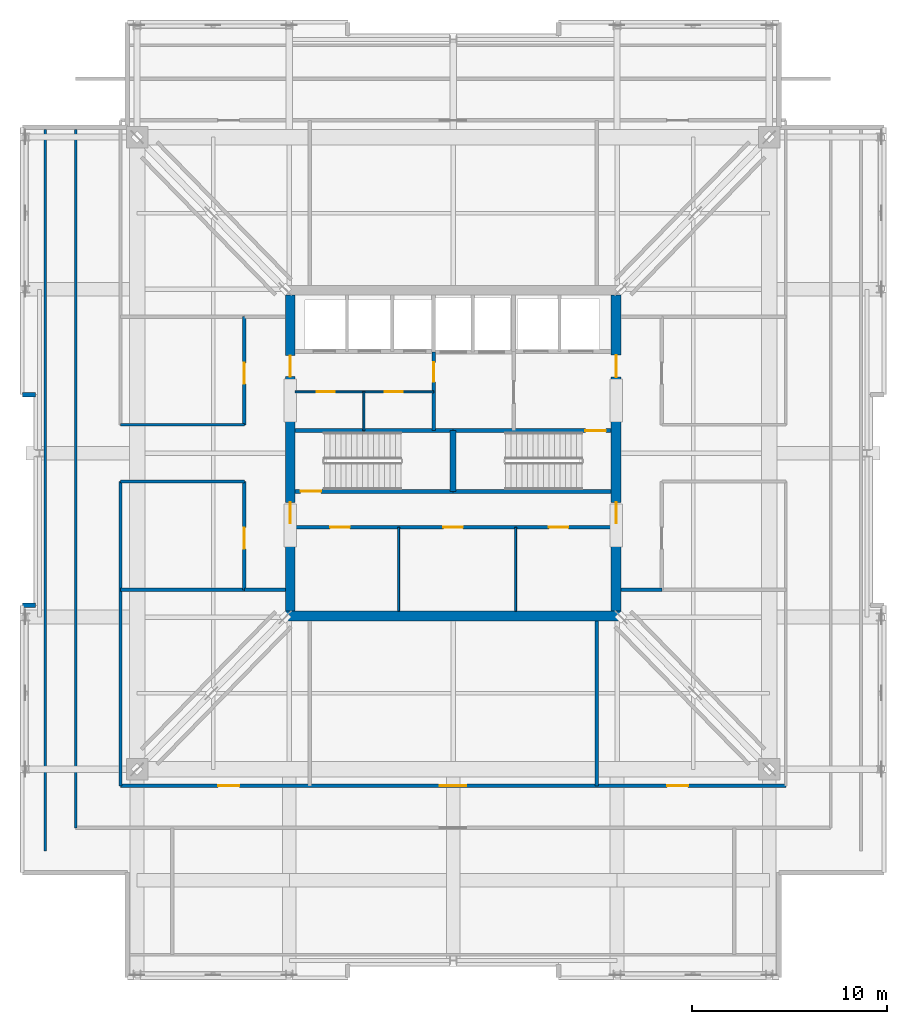
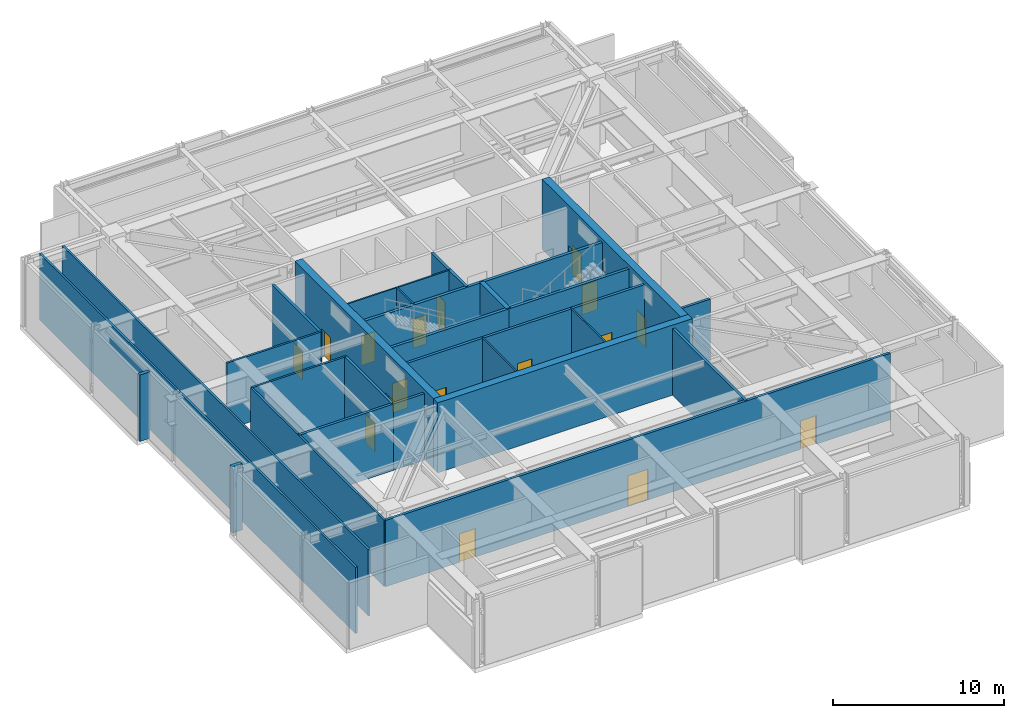
# One storey, part 5 of 10: 28 walls, 17 doors, 17 openings.
"""IFC4 building model written with IfcOpenShell, lengths in metres."""

from ifc_helpers import new_model, si_unit, direction, frame, frame_2d, origin, place, context, subcontext, project, spatial, rectangle, extrude, material, layer, layer_set, type_object, element, fill, save


model = new_model("IFC4")

# Units and contexts
model_context = context("Model", 3, precision=1e-05, world=origin(), true_north=direction((0.0, 1.0)))
body_context = subcontext(model_context, "Body", "Model", "MODEL_VIEW")
ifc_project = project(units=[si_unit("LENGTHUNIT", "METRE"), si_unit("AREAUNIT", "SQUARE_METRE"), si_unit("VOLUMEUNIT", "CUBIC_METRE"), si_unit("PLANEANGLEUNIT", "RADIAN"), si_unit("MASSUNIT", "GRAM", prefix="KILO")], contexts=[model_context])

# Site, building, storey
site_placement = place(None, origin())
site = spatial("IfcSite", under=ifc_project, at=site_placement, CompositionType="ELEMENT")
building_placement = place(site_placement, origin())
building = spatial("IfcBuilding", under=site, at=building_placement, Name="Drelvath Grand Hotel", CompositionType="ELEMENT")
storey_placement = place(building_placement, frame((0.0, 0.0, 260.0)))
storey = spatial("IfcBuildingStorey", under=building, at=storey_placement, Name="L68", CompositionType="ELEMENT", Elevation=260.0)

# Wall, openings, doors
ifc_material_1 = material(Name="Gypsum Partition Board")
ifc_layer_1 = layer(ifc_material_1, 0.10009765625)
ifc_layer_set_1 = layer_set([ifc_layer_1], Name="Gypsum Partition Board")
wall_type_1 = type_object("IfcWallType", Name="Core Closet Partition 100", PredefinedType="PARTITIONING", material=ifc_layer_set_1)
wall_1_placement = place(storey_placement, frame((-8.10009765625, 30.139892578125, 0.0), z_axis=(0.0, 0.0, 1.0), x_axis=(1.0, 0.0, 0.0)))
wall_1 = element("IfcWall", 1, at=wall_1_placement, inside=storey, type_object=wall_type_1, Name="L68 High-Rise Lobby Closet Wall", PredefinedType="PARTITIONING", context=body_context, shape_type="SweptSolid", body=[
    extrude(rectangle(XDim=7.10009765625, YDim=0.10009765625, at=frame_2d((3.550048828125, 0.0))), origin(), (0.0, 0.0, 1.0), 4.739990234375),
])
opening_1_placement = place(wall_1_placement, frame((1.10009765625, 0.0, 0.0)))
opening_1 = element("IfcOpeningElement", 2, at=opening_1_placement, cuts=wall_1, Name="Opening D-L68-014", PredefinedType="OPENING", context=body_context, shape_type="SweptSolid", body=[
    extrude(rectangle(XDim=0.919921875, YDim=2.10009765625, at=frame_2d((0.4599609375, 1.050048828125))), frame((0.0, 0.06005859375, 0.0), z_axis=(0.0, -1.0, 0.0), x_axis=(1.0, 0.0, 0.0)), (0.0, 0.0, 1.0), 0.1201171875),
])
opening_2_placement = place(wall_1_placement, frame((4.60009765625, 0.0, 0.0)))
opening_2 = element("IfcOpeningElement", 3, at=opening_2_placement, cuts=wall_1, Name="Opening D-L68-015", PredefinedType="OPENING", context=body_context, shape_type="SweptSolid", body=[
    extrude(rectangle(XDim=0.919921875, YDim=2.10009765625, at=frame_2d((0.4599609375, 1.050048828125))), frame((0.0, 0.06005859375, 0.0), z_axis=(0.0, -1.0, 0.0), x_axis=(1.0, 0.0, 0.0)), (0.0, 0.0, 1.0), 0.1201171875),
])
ifc_material_2 = material(Name="Painted Steel S275", Category="steel")
door_type_1 = type_object("IfcDoorType", Name="Staff Utility Door 920x2100", OperationType="NOTDEFINED", PredefinedType="DOOR", material=ifc_material_2)
door_1_placement = place(opening_1_placement, origin())
door_1 = element("IfcDoor", 4, at=door_1_placement, inside=storey, type_object=door_type_1, Name="L68 Electrical Closet Door", OperationType="SINGLE_SWING_LEFT", OverallHeight=2.10009765625, OverallWidth=0.919921875, PredefinedType="DOOR", context=body_context, shape_type="SweptSolid", body=[
    extrude(rectangle(XDim=0.919921875, YDim=2.10009765625, at=frame_2d((0.4599609375, 1.050048828125))), frame((0.0, 0.02490234375, 0.0), z_axis=(0.0, -1.0, 0.0), x_axis=(1.0, 0.0, 0.0)), (0.0, 0.0, 1.0), 0.050048828125),
])
fill(opening_1, door_1)
door_2_placement = place(opening_2_placement, origin())
door_2 = element("IfcDoor", 5, at=door_2_placement, inside=storey, type_object=door_type_1, Name="L68 Telecom Room Door", OperationType="SINGLE_SWING_RIGHT", OverallHeight=2.10009765625, OverallWidth=0.919921875, PredefinedType="DOOR", context=body_context, shape_type="SweptSolid", body=[
    extrude(rectangle(XDim=0.919921875, YDim=2.10009765625, at=frame_2d((0.4599609375, 1.050048828125))), frame((0.0, 0.02490234375, 0.0), z_axis=(0.0, -1.0, 0.0), x_axis=(1.0, 0.0, 0.0)), (0.0, 0.0, 1.0), 0.050048828125),
])
fill(opening_2, door_2)

# Walls
wall_2_placement = place(storey_placement, frame((-4.580078125, 28.159912109375, 0.0), z_axis=(0.0, 0.0, 1.0), x_axis=(0.0, 1.0, 0.0)))
element("IfcWall", 6, at=wall_2_placement, inside=storey, type_object=wall_type_1, Name="L68 Core Closet Split 1", PredefinedType="PARTITIONING", context=body_context, shape_type="SweptSolid", body=[
    extrude(rectangle(XDim=1.97998046875, YDim=0.10009765625, at=frame_2d((0.989990234375, 0.0))), origin(), (0.0, 0.0, 1.0), 4.739990234375),
])
for number, where, z_axis, x_axis, name in (
    (7, (-2.800048828125, 18.89990234375, 0.0), (0.0, 0.0, 1.0), (0.0, 1.0, 0.0), "L68 Upper Core Split 1A"),
    (8, (3.199951171875, 18.89990234375, 0.0), (0.0, 0.0, 1.0), (0.0, 1.0, 0.0), "L68 Upper Core Split 1B"),
):
    element("IfcWall", number, at=place(storey_placement, frame(where, z_axis=z_axis, x_axis=x_axis)), inside=storey, type_object=wall_type_1, Name=name, PredefinedType="PARTITIONING", context=body_context, shape_type="SweptSolid", body=[
        extrude(rectangle(XDim=4.300048828125, YDim=0.10009765625, at=frame_2d((2.14990234375, 0.0))), origin(), (0.0, 0.0, 1.0), 4.739990234375),
    ])

# Wall, opening, door
ifc_material_3 = material(Name="Concrete C40/50", Category="concrete")
ifc_layer_2 = layer(ifc_material_3, 0.199951171875)
ifc_layer_set_2 = layer_set([ifc_layer_2], Name="Concrete C40/50")
wall_type_2 = type_object("IfcWallType", Name="Core Shaft Fire Wall 200", PredefinedType="SOLIDWALL", material=ifc_layer_set_2)
wall_3_placement = place(storey_placement, frame((-8.10009765625, 25.0400390625, 0.0), z_axis=(0.0, 0.0, 1.0), x_axis=(1.0, 0.0, 0.0)))
wall_3 = element("IfcWall", 9, at=wall_3_placement, inside=storey, type_object=wall_type_2, Name="L68 Stair ST-1 South Wall", PredefinedType="SOLIDWALL", context=body_context, shape_type="SweptSolid", body=[
    extrude(rectangle(XDim=8.10009765625, YDim=0.199951171875, at=frame_2d((4.050048828125, 0.0))), origin(), (0.0, 0.0, 1.0), 4.739990234375),
])
opening_3_placement = place(wall_3_placement, frame((0.280029296875, 0.0, 0.0)))
opening_3 = element("IfcOpeningElement", 10, at=opening_3_placement, cuts=wall_3, Name="Opening D-L68-001", PredefinedType="OPENING", context=body_context, shape_type="SweptSolid", body=[
    extrude(rectangle(XDim=1.050048828125, YDim=2.10009765625, at=frame_2d((0.52490234375, 1.050048828125))), frame((0.0, 0.10986328125, 0.0), z_axis=(0.0, -1.0, 0.0), x_axis=(1.0, 0.0, 0.0)), (0.0, 0.0, 1.0), 0.219970703125),
])
door_type_2 = type_object("IfcDoorType", Name="Tower Stairwell Fire Door 1050x2100", OperationType="NOTDEFINED", PredefinedType="DOOR", material=ifc_material_2)
door_3_placement = place(opening_3_placement, origin())
door_3 = element("IfcDoor", 11, at=door_3_placement, inside=storey, type_object=door_type_2, Name="L68 Exit Stair ST-1 Door", OperationType="SINGLE_SWING_LEFT", OverallHeight=2.10009765625, OverallWidth=1.050048828125, PredefinedType="DOOR", context=body_context, shape_type="SweptSolid", body=[
    extrude(rectangle(XDim=1.050048828125, YDim=2.10009765625, at=frame_2d((0.52490234375, 1.050048828125))), frame((0.0, 0.02490234375, 0.0), z_axis=(0.0, -1.0, 0.0), x_axis=(1.0, 0.0, 0.0)), (0.0, 0.0, 1.0), 0.050048828125),
])
fill(opening_3, door_3)

# Walls
for number, where, z_axis, x_axis, name in (
    (12, (-8.10009765625, 28.159912109375, 0.0), (0.0, 0.0, 1.0), (1.0, 0.0, 0.0), "L68 Stair ST-1 North Wall"),
    (13, (0.0, 25.0400390625, 0.0), (0.0, 0.0, 1.0), (1.0, 0.0, 0.0), "L68 Stair ST-2 South Wall"),
):
    element("IfcWall", number, at=place(storey_placement, frame(where, z_axis=z_axis, x_axis=x_axis)), inside=storey, type_object=wall_type_2, Name=name, PredefinedType="SOLIDWALL", context=body_context, shape_type="SweptSolid", body=[
        extrude(rectangle(XDim=8.10009765625, YDim=0.199951171875, at=frame_2d((4.050048828125, 0.0))), origin(), (0.0, 0.0, 1.0), 4.739990234375),
    ])

# Wall, opening, door
wall_4_placement = place(storey_placement, frame((8.10009765625, 28.159912109375, 0.0), z_axis=(0.0, 0.0, 1.0), x_axis=(-1.0, 0.0, 0.0)))
wall_4 = element("IfcWall", 14, at=wall_4_placement, inside=storey, type_object=wall_type_2, Name="L68 Stair ST-2 North Wall", PredefinedType="SOLIDWALL", context=body_context, shape_type="SweptSolid", body=[
    extrude(rectangle(XDim=8.10009765625, YDim=0.199951171875, at=frame_2d((4.050048828125, 0.0))), origin(), (0.0, 0.0, 1.0), 4.739990234375),
])
opening_4_placement = place(wall_4_placement, frame((0.280029296875, 0.0, 0.0)))
opening_4 = element("IfcOpeningElement", 15, at=opening_4_placement, cuts=wall_4, Name="Opening D-L68-002", PredefinedType="OPENING", context=body_context, shape_type="SweptSolid", body=[
    extrude(rectangle(XDim=1.050048828125, YDim=2.10009765625, at=frame_2d((0.52490234375, 1.050048828125))), frame((0.0, 0.10986328125, 0.0), z_axis=(0.0, -1.0, 0.0), x_axis=(1.0, 0.0, 0.0)), (0.0, 0.0, 1.0), 0.219970703125),
])
door_4_placement = place(opening_4_placement, origin())
door_4 = element("IfcDoor", 16, at=door_4_placement, inside=storey, type_object=door_type_2, Name="L68 Exit Stair ST-2 Door", OperationType="SINGLE_SWING_LEFT", OverallHeight=2.10009765625, OverallWidth=1.050048828125, PredefinedType="DOOR", context=body_context, shape_type="SweptSolid", body=[
    extrude(rectangle(XDim=1.050048828125, YDim=2.10009765625, at=frame_2d((0.52490234375, 1.050048828125))), frame((0.0, 0.02490234375, 0.0), z_axis=(0.0, -1.0, 0.0), x_axis=(1.0, 0.0, 0.0)), (0.0, 0.0, 1.0), 0.050048828125),
])
fill(opening_4, door_4)

# Walls
ifc_layer_3 = layer(ifc_material_3, 0.300048828125)
ifc_layer_set_3 = layer_set([ifc_layer_3], Name="Concrete C40/50")
wall_type_3 = type_object("IfcWallType", Name="Core Shaft Fire Wall 300", PredefinedType="SOLIDWALL", material=ifc_layer_set_3)
wall_5_placement = place(storey_placement, frame((0.0, 25.0400390625, 0.0), z_axis=(0.0, 0.0, 1.0), x_axis=(0.0, 1.0, 0.0)))
element("IfcWall", 17, at=wall_5_placement, inside=storey, type_object=wall_type_3, Name="L68 Core Stair Divider Wall", PredefinedType="SOLIDWALL", context=body_context, shape_type="SweptSolid", body=[
    extrude(rectangle(XDim=3.119873046875, YDim=0.300048828125, at=frame_2d((1.56005859375, 0.0))), origin(), (0.0, 0.0, 1.0), 4.739990234375),
])
ifc_material_4 = material(Name="Gypsum Fireboard Partition")
ifc_layer_4 = layer(ifc_material_4, 0.135009765625)
ifc_layer_set_4 = layer_set([ifc_layer_4], Name="Gypsum Fireboard Partition")
wall_type_4 = type_object("IfcWallType", Name="Corridor Fire Barrier Wall 135", PredefinedType="PARTITIONING", material=ifc_layer_set_4)
wall_6_placement = place(storey_placement, frame((-20.89990234375, 6.60009765625, 0.0), z_axis=(0.0, 0.0, 1.0), x_axis=(0.0, 1.0, 0.0)))
element("IfcWall", 18, at=wall_6_placement, inside=storey, type_object=wall_type_4, Name="L68 West Belt Plenum Wall", PredefinedType="PARTITIONING", context=body_context, shape_type="SweptSolid", body=[
    extrude(rectangle(XDim=36.97998046875, YDim=0.135009765625, at=frame_2d((18.489990234375, 0.0))), origin(), (0.0, 0.0, 1.0), 4.739990234375),
])
for number, where, z_axis, x_axis, name in (
    (19, (-17.050048828125, 25.550048828125, 0.0), (0.0, 0.0, 1.0), (1.0, 0.0, 0.0), "L68 West Cross-Arm South Wall"),
    (20, (-17.050048828125, 28.449951171875, 0.0), (0.0, 0.0, 1.0), (1.0, 0.0, 0.0), "L68 West Cross-Arm North Wall"),
):
    element("IfcWall", number, at=place(storey_placement, frame(where, z_axis=z_axis, x_axis=x_axis)), inside=storey, type_object=wall_type_4, Name=name, PredefinedType="PARTITIONING", context=body_context, shape_type="SweptSolid", body=[
        extrude(rectangle(XDim=6.35009765625, YDim=0.135009765625, at=frame_2d((3.175048828125, 0.0))), origin(), (0.0, 0.0, 1.0), 4.739990234375),
    ])
wall_7_placement = place(storey_placement, frame((-19.35009765625, 7.800048828125, 0.0), z_axis=(0.0, 0.0, 1.0), x_axis=(0.0, 1.0, 0.0)))
element("IfcWall", 21, at=wall_7_placement, inside=storey, type_object=wall_type_4, Name="L68 West Outer Leg Outer Wall", PredefinedType="PARTITIONING", context=body_context, shape_type="SweptSolid", body=[
    extrude(rectangle(XDim=35.780029296875, YDim=0.135009765625, at=frame_2d((17.89013671875, 0.0))), origin(), (0.0, 0.0, 1.0), 4.739990234375),
])
wall_8_placement = place(storey_placement, frame((-17.050048828125, 9.949951171875, 0.0), z_axis=(0.0, 0.0, 1.0), x_axis=(0.0, 1.0, 0.0)))
element("IfcWall", 22, at=wall_8_placement, inside=storey, type_object=wall_type_4, Name="L68 West Outer Leg Inner S", PredefinedType="PARTITIONING", context=body_context, shape_type="SweptSolid", body=[
    extrude(rectangle(XDim=15.60009765625, YDim=0.135009765625, at=frame_2d((7.800048828125, 0.0))), origin(), (0.0, 0.0, 1.0), 4.739990234375),
])

# Wall, opening, door
ifc_layer_5 = layer(ifc_material_4, 0.179931640625)
ifc_layer_set_5 = layer_set([ifc_layer_5], Name="Gypsum Fireboard Partition")
wall_type_5 = type_object("IfcWallType", Name="FSAE Smoke Lobby Fire Wall 180", PredefinedType="SOLIDWALL", material=ifc_layer_set_5)
wall_9_placement = place(storey_placement, frame((-1.0, 28.159912109375, 0.0), z_axis=(0.0, 0.0, 1.0), x_axis=(0.0, 1.0, 0.0)))
wall_9 = element("IfcWall", 23, at=wall_9_placement, inside=storey, type_object=wall_type_5, Name="L68 Service Vestibule West Wall", PredefinedType="SOLIDWALL", context=body_context, shape_type="SweptSolid", body=[
    extrude(rectangle(XDim=4.02001953125, YDim=0.179931640625, at=frame_2d((2.010009765625, 0.0))), origin(), (0.0, 0.0, 1.0), 4.739990234375),
])
opening_5_placement = place(wall_9_placement, frame((2.489990234375, 0.0, 0.0)))
opening_5 = element("IfcOpeningElement", 24, at=opening_5_placement, cuts=wall_9, Name="Opening D-L68-009", PredefinedType="OPENING", context=body_context, shape_type="SweptSolid", body=[
    extrude(rectangle(XDim=1.0, YDim=2.10009765625, at=frame_2d((0.5, 1.050048828125))), frame((0.0, 0.099853515625, 0.0), z_axis=(0.0, -1.0, 0.0), x_axis=(1.0, 0.0, 0.0)), (0.0, 0.0, 1.0), 0.199951171875),
])
door_type_3 = type_object("IfcDoorType", Name="Core Service Fire Door 1000x2100", OperationType="NOTDEFINED", PredefinedType="DOOR", material=ifc_material_2)
door_5_placement = place(opening_5_placement, origin())
door_5 = element("IfcDoor", 25, at=door_5_placement, inside=storey, type_object=door_type_3, Name="L68 Service Vestibule West Door", OperationType="SINGLE_SWING_LEFT", OverallHeight=2.10009765625, OverallWidth=1.0, PredefinedType="DOOR", context=body_context, shape_type="SweptSolid", body=[
    extrude(rectangle(XDim=1.0, YDim=2.10009765625, at=frame_2d((0.5, 1.050048828125))), frame((0.0, 0.02490234375, 0.0), z_axis=(0.0, -1.0, 0.0), x_axis=(1.0, 0.0, 0.0)), (0.0, 0.0, 1.0), 0.050048828125),
])
fill(opening_5, door_5)

# Wall, openings, doors
wall_10_placement = place(storey_placement, frame((-8.10009765625, 23.199951171875, 0.0), z_axis=(0.0, 0.0, 1.0), x_axis=(1.0, 0.0, 0.0)))
wall_10 = element("IfcWall", 26, at=wall_10_placement, inside=storey, type_object=wall_type_5, Name="L68 Upper Reclaimed Core Wall", PredefinedType="SOLIDWALL", context=body_context, shape_type="SweptSolid", body=[
    extrude(rectangle(XDim=16.2001953125, YDim=0.179931640625, at=frame_2d((8.10009765625, 0.0))), origin(), (0.0, 0.0, 1.0), 4.739990234375),
])
opening_6_placement = place(wall_10_placement, frame((1.800048828125, 0.0, 0.0)))
opening_6 = element("IfcOpeningElement", 27, at=opening_6_placement, cuts=wall_10, Name="Opening D-L68-018", PredefinedType="OPENING", context=body_context, shape_type="SweptSolid", body=[
    extrude(rectangle(XDim=1.0, YDim=2.10009765625, at=frame_2d((0.5, 1.050048828125))), frame((0.0, 0.099853515625, 0.0), z_axis=(0.0, -1.0, 0.0), x_axis=(1.0, 0.0, 0.0)), (0.0, 0.0, 1.0), 0.199951171875),
])
opening_7_placement = place(wall_10_placement, frame((7.60009765625, 0.0, 0.0)))
opening_7 = element("IfcOpeningElement", 28, at=opening_7_placement, cuts=wall_10, Name="Opening D-L68-019", PredefinedType="OPENING", context=body_context, shape_type="SweptSolid", body=[
    extrude(rectangle(XDim=1.0, YDim=2.10009765625, at=frame_2d((0.5, 1.050048828125))), frame((0.0, 0.099853515625, 0.0), z_axis=(0.0, -1.0, 0.0), x_axis=(1.0, 0.0, 0.0)), (0.0, 0.0, 1.0), 0.199951171875),
])
opening_8_placement = place(wall_10_placement, frame((13.0, 0.0, 0.0)))
opening_8 = element("IfcOpeningElement", 29, at=opening_8_placement, cuts=wall_10, Name="Opening D-L68-020", PredefinedType="OPENING", context=body_context, shape_type="SweptSolid", body=[
    extrude(rectangle(XDim=1.0, YDim=2.10009765625, at=frame_2d((0.5, 1.050048828125))), frame((0.0, 0.099853515625, 0.0), z_axis=(0.0, -1.0, 0.0), x_axis=(1.0, 0.0, 0.0)), (0.0, 0.0, 1.0), 0.199951171875),
])
door_6_placement = place(opening_6_placement, origin())
door_6 = element("IfcDoor", 30, at=door_6_placement, inside=storey, type_object=door_type_3, Name="L68 Housekeeping Door", OperationType="SINGLE_SWING_LEFT", OverallHeight=2.10009765625, OverallWidth=1.0, PredefinedType="DOOR", context=body_context, shape_type="SweptSolid", body=[
    extrude(rectangle(XDim=1.0, YDim=2.10009765625, at=frame_2d((0.5, 1.050048828125))), frame((0.0, 0.02490234375, 0.0), z_axis=(0.0, -1.0, 0.0), x_axis=(1.0, 0.0, 0.0)), (0.0, 0.0, 1.0), 0.050048828125),
])
fill(opening_6, door_6)
door_7_placement = place(opening_7_placement, origin())
door_7 = element("IfcDoor", 31, at=door_7_placement, inside=storey, type_object=door_type_3, Name="L68 Prep Pantry Door", OperationType="SINGLE_SWING_RIGHT", OverallHeight=2.10009765625, OverallWidth=1.0, PredefinedType="DOOR", context=body_context, shape_type="SweptSolid", body=[
    extrude(rectangle(XDim=1.0, YDim=2.10009765625, at=frame_2d((0.5, 1.050048828125))), frame((0.0, 0.02490234375, 0.0), z_axis=(0.0, -1.0, 0.0), x_axis=(1.0, 0.0, 0.0)), (0.0, 0.0, 1.0), 0.050048828125),
])
fill(opening_7, door_7)
door_8_placement = place(opening_8_placement, origin())
door_8 = element("IfcDoor", 32, at=door_8_placement, inside=storey, type_object=door_type_3, Name="L68 AV Room Door", OperationType="SINGLE_SWING_LEFT", OverallHeight=2.10009765625, OverallWidth=1.0, PredefinedType="DOOR", context=body_context, shape_type="SweptSolid", body=[
    extrude(rectangle(XDim=1.0, YDim=2.10009765625, at=frame_2d((0.5, 1.050048828125))), frame((0.0, 0.02490234375, 0.0), z_axis=(0.0, -1.0, 0.0), x_axis=(1.0, 0.0, 0.0)), (0.0, 0.0, 1.0), 0.050048828125),
])
fill(opening_8, door_8)

# Wall, opening, door
wall_11_placement = place(storey_placement, frame((-10.699951171875, 20.0, 0.0), z_axis=(0.0, 0.0, 1.0), x_axis=(0.0, 1.0, 0.0)))
wall_11 = element("IfcWall", 33, at=wall_11_placement, inside=storey, type_object=wall_type_5, Name="L68 Plant West Foyer Lower Wall", PredefinedType="SOLIDWALL", context=body_context, shape_type="SweptSolid", body=[
    extrude(rectangle(XDim=5.550048828125, YDim=0.179931640625, at=frame_2d((2.77490234375, 0.0))), origin(), (0.0, 0.0, 1.0), 4.739990234375),
])
opening_9_placement = place(wall_11_placement, frame((2.10009765625, 0.0, 0.0)))
opening_9 = element("IfcOpeningElement", 34, at=opening_9_placement, cuts=wall_11, Name="Opening D-L68-024", PredefinedType="OPENING", context=body_context, shape_type="SweptSolid", body=[
    extrude(rectangle(XDim=1.080078125, YDim=2.0400390625, at=frame_2d((0.5400390625, 1.02001953125))), frame((0.0, 0.099853515625, 0.0), z_axis=(0.0, -1.0, 0.0), x_axis=(1.0, 0.0, 0.0)), (0.0, 0.0, 1.0), 0.199951171875),
])
door_type_4 = type_object("IfcDoorType", Name="Core Corridor Fire Door 1080x2100", OperationType="NOTDEFINED", PredefinedType="DOOR", material=ifc_material_2)
door_9_placement = place(opening_9_placement, origin())
door_9 = element("IfcDoor", 35, at=door_9_placement, inside=storey, type_object=door_type_4, Name="L68 AHU Plant Door", OperationType="SINGLE_SWING_LEFT", OverallHeight=2.0400390625, OverallWidth=1.080078125, PredefinedType="DOOR", context=body_context, shape_type="SweptSolid", body=[
    extrude(rectangle(XDim=1.080078125, YDim=2.0400390625, at=frame_2d((0.5400390625, 1.02001953125))), frame((0.0, 0.02490234375, 0.0), z_axis=(0.0, -1.0, 0.0), x_axis=(1.0, 0.0, 0.0)), (0.0, 0.0, 1.0), 0.050048828125),
])
fill(opening_9, door_9)

wall_12_placement = place(storey_placement, frame((-10.699951171875, 28.449951171875, 0.0), z_axis=(0.0, 0.0, 1.0), x_axis=(0.0, 1.0, 0.0)))
wall_12 = element("IfcWall", 36, at=wall_12_placement, inside=storey, type_object=wall_type_5, Name="L68 Plant West Foyer Upper Wall", PredefinedType="SOLIDWALL", context=body_context, shape_type="SweptSolid", body=[
    extrude(rectangle(XDim=5.550048828125, YDim=0.179931640625, at=frame_2d((2.77490234375, 0.0))), origin(), (0.0, 0.0, 1.0), 4.739990234375),
])
opening_10_placement = place(wall_12_placement, frame((2.10009765625, 0.0, 0.0)))
opening_10 = element("IfcOpeningElement", 37, at=opening_10_placement, cuts=wall_12, Name="Opening D-L68-025", PredefinedType="OPENING", context=body_context, shape_type="SweptSolid", body=[
    extrude(rectangle(XDim=1.080078125, YDim=2.0400390625, at=frame_2d((0.5400390625, 1.02001953125))), frame((0.0, 0.099853515625, 0.0), z_axis=(0.0, -1.0, 0.0), x_axis=(1.0, 0.0, 0.0)), (0.0, 0.0, 1.0), 0.199951171875),
])
door_10_placement = place(opening_10_placement, origin())
door_10 = element("IfcDoor", 38, at=door_10_placement, inside=storey, type_object=door_type_4, Name="L68 Makeup Fan Plant Door", OperationType="SINGLE_SWING_RIGHT", OverallHeight=2.0400390625, OverallWidth=1.080078125, PredefinedType="DOOR", context=body_context, shape_type="SweptSolid", body=[
    extrude(rectangle(XDim=1.080078125, YDim=2.0400390625, at=frame_2d((0.5400390625, 1.02001953125))), frame((0.0, 0.02490234375, 0.0), z_axis=(0.0, -1.0, 0.0), x_axis=(1.0, 0.0, 0.0)), (0.0, 0.0, 1.0), 0.050048828125),
])
fill(opening_10, door_10)

# Walls
for number, where, z_axis, x_axis, name in (
    (39, (-10.699951171875, 20.0, 0.0), (0.0, 0.0, 1.0), (1.0, 0.0, 0.0), "L68 Plant West Foyer South End"),
    (40, (8.60009765625, 20.0, 0.0), (0.0, 0.0, 1.0), (1.0, 0.0, 0.0), "L68 Plant East Foyer South End"),
):
    element("IfcWall", number, at=place(storey_placement, frame(where, z_axis=z_axis, x_axis=x_axis)), inside=storey, type_object=wall_type_5, Name=name, PredefinedType="SOLIDWALL", context=body_context, shape_type="SweptSolid", body=[
        extrude(rectangle(XDim=2.099853515625, YDim=0.179931640625, at=frame_2d((1.0498046875, 0.0))), origin(), (0.0, 0.0, 1.0), 4.739990234375),
    ])

# Wall, openings, doors
wall_13_placement = place(storey_placement, frame((-17.050048828125, 9.949951171875, 0.0), z_axis=(0.0, 0.0, 1.0), x_axis=(1.0, 0.0, 0.0)))
wall_13 = element("IfcWall", 41, at=wall_13_placement, inside=storey, type_object=wall_type_5, Name="L68 South Connector Inner Wall", PredefinedType="SOLIDWALL", context=body_context, shape_type="SweptSolid", body=[
    extrude(rectangle(XDim=34.10009765625, YDim=0.179931640625, at=frame_2d((17.050048828125, 0.0))), origin(), (0.0, 0.0, 1.0), 4.739990234375),
])
opening_11_placement = place(wall_13_placement, frame((16.3701171875, 0.0, 0.0)))
opening_11 = element("IfcOpeningElement", 42, at=opening_11_placement, cuts=wall_13, Name="Opening D-L68-021", PredefinedType="OPENING", context=body_context, shape_type="SweptSolid", body=[
    extrude(rectangle(XDim=1.360107421875, YDim=2.199951171875, at=frame_2d((0.68017578125, 1.10009765625))), frame((0.0, 0.099853515625, 0.0), z_axis=(0.0, -1.0, 0.0), x_axis=(1.0, 0.0, 0.0)), (0.0, 0.0, 1.0), 0.199951171875),
])
opening_12_placement = place(wall_13_placement, frame((5.010009765625, 0.0, 0.0)))
opening_12 = element("IfcOpeningElement", 43, at=opening_12_placement, cuts=wall_13, Name="Opening D-L68-028", PredefinedType="OPENING", context=body_context, shape_type="SweptSolid", body=[
    extrude(rectangle(XDim=1.080078125, YDim=2.0400390625, at=frame_2d((0.5400390625, 1.02001953125))), frame((0.0, 0.099853515625, 0.0), z_axis=(0.0, -1.0, 0.0), x_axis=(1.0, 0.0, 0.0)), (0.0, 0.0, 1.0), 0.199951171875),
])
opening_13_placement = place(wall_13_placement, frame((28.010009765625, 0.0, 0.0)))
opening_13 = element("IfcOpeningElement", 44, at=opening_13_placement, cuts=wall_13, Name="Opening D-L68-029", PredefinedType="OPENING", context=body_context, shape_type="SweptSolid", body=[
    extrude(rectangle(XDim=1.080078125, YDim=2.0400390625, at=frame_2d((0.5400390625, 1.02001953125))), frame((0.0, 0.099853515625, 0.0), z_axis=(0.0, -1.0, 0.0), x_axis=(1.0, 0.0, 0.0)), (0.0, 0.0, 1.0), 0.199951171875),
])
door_11_placement = place(opening_12_placement, origin())
door_11 = element("IfcDoor", 45, at=door_11_placement, inside=storey, type_object=door_type_4, Name="L68 Chilled Water Plant Door", OperationType="SINGLE_SWING_LEFT", OverallHeight=2.0400390625, OverallWidth=1.080078125, PredefinedType="DOOR", context=body_context, shape_type="SweptSolid", body=[
    extrude(rectangle(XDim=1.080078125, YDim=2.0400390625, at=frame_2d((0.5400390625, 1.02001953125))), frame((0.0, 0.02490234375, 0.0), z_axis=(0.0, -1.0, 0.0), x_axis=(1.0, 0.0, 0.0)), (0.0, 0.0, 1.0), 0.050048828125),
])
fill(opening_12, door_11)
door_12_placement = place(opening_13_placement, origin())
door_12 = element("IfcDoor", 46, at=door_12_placement, inside=storey, type_object=door_type_4, Name="L68 Heat Exchanger Plant Door", OperationType="SINGLE_SWING_RIGHT", OverallHeight=2.0400390625, OverallWidth=1.080078125, PredefinedType="DOOR", context=body_context, shape_type="SweptSolid", body=[
    extrude(rectangle(XDim=1.080078125, YDim=2.0400390625, at=frame_2d((0.5400390625, 1.02001953125))), frame((0.0, 0.02490234375, 0.0), z_axis=(0.0, -1.0, 0.0), x_axis=(1.0, 0.0, 0.0)), (0.0, 0.0, 1.0), 0.050048828125),
])
fill(opening_13, door_12)
door_type_5 = type_object("IfcDoorType", Name="Plant Equipment Double Fire Door 1360x2200", OperationType="NOTDEFINED", PredefinedType="DOOR", material=ifc_material_2)
door_13_placement = place(opening_11_placement, origin())
door_13 = element("IfcDoor", 47, at=door_13_placement, inside=storey, type_object=door_type_5, Name="L68 South Core Refuge Door", OperationType="SINGLE_SWING_RIGHT", OverallHeight=2.199951171875, OverallWidth=1.360107421875, PredefinedType="DOOR", context=body_context, shape_type="SweptSolid", body=[
    extrude(rectangle(XDim=1.360107421875, YDim=2.199951171875, at=frame_2d((0.68017578125, 1.10009765625))), frame((0.0, 0.02490234375, 0.0), z_axis=(0.0, -1.0, 0.0), x_axis=(1.0, 0.0, 0.0)), (0.0, 0.0, 1.0), 0.050048828125),
])
fill(opening_11, door_13)

# Walls
wall_14_placement = place(storey_placement, frame((7.35009765625, 9.949951171875, 0.0), z_axis=(0.0, 0.0, 1.0), x_axis=(0.0, 1.0, 0.0)))
element("IfcWall", 48, at=wall_14_placement, inside=storey, type_object=wall_type_5, Name="L68 South Refuge Inner East Wall", PredefinedType="SOLIDWALL", context=body_context, shape_type="SweptSolid", body=[
    extrude(rectangle(XDim=8.449951171875, YDim=0.179931640625, at=frame_2d((4.22509765625, 0.0))), origin(), (0.0, 0.0, 1.0), 4.739990234375),
])
wall_15_placement = place(storey_placement, frame((-17.050048828125, 20.0, 0.0), z_axis=(0.0, 0.0, 1.0), x_axis=(1.0, 0.0, 0.0)))
element("IfcWall", 49, at=wall_15_placement, inside=storey, type_object=wall_type_5, Name="L68 West Inner Plant South Wall", PredefinedType="SOLIDWALL", context=body_context, shape_type="SweptSolid", body=[
    extrude(rectangle(XDim=6.35009765625, YDim=0.179931640625, at=frame_2d((3.175048828125, 0.0))), origin(), (0.0, 0.0, 1.0), 4.739990234375),
])
ifc_material_5 = material(Name="Pale-Metal Insulated Aluminium Spandrel Assembly", Category="aluminium")
ifc_layer_6 = layer(ifc_material_5, 0.239990234375)
ifc_layer_set_6 = layer_set([ifc_layer_6], Name="Pale-Metal Insulated Aluminium Spandrel Assembly")
wall_type_6 = type_object("IfcWallType", Name="Tower Insulated Metal Spandrel Closure Wall 240", PredefinedType="STANDARD", material=ifc_layer_set_6)
for number, where, z_axis, x_axis, name in (
    (50, (-22.080078125, 19.199951171875, 0.0), (0.0, 0.0, 1.0), (1.0, 0.0, 0.0), "L68 Notched Corner Return Spandrel Wall RW1"),
    (51, (-21.39990234375, 30.0, 0.0), (0.0, 0.0, 1.0), (-1.0, 0.0, 0.0), "L68 Notched Corner Return Spandrel Wall RW2"),
):
    element("IfcWall", number, at=place(storey_placement, frame(where, z_axis=z_axis, x_axis=x_axis)), inside=storey, type_object=wall_type_6, Name=name, PredefinedType="STANDARD", context=body_context, shape_type="SweptSolid", body=[
        extrude(rectangle(XDim=0.68017578125, YDim=0.239990234375, at=frame_2d((0.340087890625, 0.0))), origin(), (0.0, 0.0, 1.0), 4.739990234375),
    ])

# Wall, openings, doors
ifc_material_6 = material(Name="Concrete f'c 55 MPa", Category="concrete")
ifc_layer_7 = layer(ifc_material_6, 0.5)
ifc_layer_set_7 = layer_set([ifc_layer_7], Name="Concrete f'c 55 MPa")
wall_type_7 = type_object("IfcWallType", Name="Upper Core RC Shear Wall 500", PredefinedType="SHEAR", material=ifc_layer_set_7)
wall_16_placement = place(storey_placement, frame((8.35009765625, 35.10009765625, 0.0), z_axis=(0.0, 0.0, 1.0), x_axis=(0.0, -1.0, 0.0)))
wall_16 = element("IfcWall", 52, at=wall_16_placement, inside=storey, type_object=wall_type_7, Name="L68 Central Core Shear Wall E", PredefinedType="SHEAR", context=body_context, shape_type="SweptSolid", body=[
    extrude(rectangle(XDim=16.2001953125, YDim=0.5, at=frame_2d((8.10009765625, 0.0))), origin(), (0.0, 0.0, 1.0), 5.0),
])
opening_14_placement = place(wall_16_placement, frame((3.080078125, 0.0, 0.0)))
opening_14 = element("IfcOpeningElement", 53, at=opening_14_placement, cuts=wall_16, Name="Opening D-L68-006", PredefinedType="OPENING", context=body_context, shape_type="SweptSolid", body=[
    extrude(rectangle(XDim=1.1201171875, YDim=2.10009765625, at=frame_2d((0.56005859375, 1.050048828125))), frame((0.0, 0.260009765625, 0.0), z_axis=(0.0, -1.0, 0.0), x_axis=(1.0, 0.0, 0.0)), (0.0, 0.0, 1.0), 0.52001953125),
])
opening_15_placement = place(wall_16_placement, frame((10.6201171875, 0.0, 0.0)))
opening_15 = element("IfcOpeningElement", 54, at=opening_15_placement, cuts=wall_16, Name="Opening D-L68-017", PredefinedType="OPENING", context=body_context, shape_type="SweptSolid", body=[
    extrude(rectangle(XDim=1.080078125, YDim=2.0400390625, at=frame_2d((0.5400390625, 1.02001953125))), frame((0.0, 0.260009765625, 0.0), z_axis=(0.0, -1.0, 0.0), x_axis=(1.0, 0.0, 0.0)), (0.0, 0.0, 1.0), 0.52001953125),
])
door_14_placement = place(opening_15_placement, origin())
door_14 = element("IfcDoor", 55, at=door_14_placement, inside=storey, type_object=door_type_4, Name="L68 Core Passage East Door", OperationType="SINGLE_SWING_RIGHT", OverallHeight=2.0400390625, OverallWidth=1.080078125, PredefinedType="DOOR", context=body_context, shape_type="SweptSolid", body=[
    extrude(rectangle(XDim=1.080078125, YDim=2.0400390625, at=frame_2d((0.5400390625, 1.02001953125))), frame((0.0, 0.02490234375, 0.0), z_axis=(0.0, -1.0, 0.0), x_axis=(1.0, 0.0, 0.0)), (0.0, 0.0, 1.0), 0.050048828125),
])
fill(opening_15, door_14)
door_type_6 = type_object("IfcDoorType", Name="FSAE Smoke Lobby Fire Door 1120x2100", OperationType="NOTDEFINED", PredefinedType="DOOR", material=ifc_material_2)
door_15_placement = place(opening_14_placement, origin())
door_15 = element("IfcDoor", 56, at=door_15_placement, inside=storey, type_object=door_type_6, Name="L68 FSAE Lobby East Corridor Door", OperationType="SINGLE_SWING_LEFT", OverallHeight=2.10009765625, OverallWidth=1.1201171875, PredefinedType="DOOR", context=body_context, shape_type="SweptSolid", body=[
    extrude(rectangle(XDim=1.1201171875, YDim=2.10009765625, at=frame_2d((0.56005859375, 1.050048828125))), frame((0.0, 0.02490234375, 0.0), z_axis=(0.0, -1.0, 0.0), x_axis=(1.0, 0.0, 0.0)), (0.0, 0.0, 1.0), 0.050048828125),
])
fill(opening_14, door_15)

# Wall
wall_17_placement = place(storey_placement, frame((8.60009765625, 18.64990234375, 0.0), z_axis=(0.0, 0.0, 1.0), x_axis=(-1.0, 0.0, 0.0)))
element("IfcWall", 57, at=wall_17_placement, inside=storey, type_object=wall_type_7, Name="L68 Central Core Shear Wall S", PredefinedType="SHEAR", context=body_context, shape_type="SweptSolid", body=[
    extrude(rectangle(XDim=17.2001953125, YDim=0.5, at=frame_2d((8.60009765625, 0.0))), origin(), (0.0, 0.0, 1.0), 5.0),
])

# Wall, openings, doors
wall_18_placement = place(storey_placement, frame((-8.35009765625, 18.89990234375, 0.0), z_axis=(0.0, 0.0, 1.0), x_axis=(0.0, 1.0, 0.0)))
wall_18 = element("IfcWall", 58, at=wall_18_placement, inside=storey, type_object=wall_type_7, Name="L68 Central Core Shear Wall W", PredefinedType="SHEAR", context=body_context, shape_type="SweptSolid", body=[
    extrude(rectangle(XDim=16.2001953125, YDim=0.5, at=frame_2d((8.10009765625, 0.0))), origin(), (0.0, 0.0, 1.0), 5.0),
])
opening_16_placement = place(wall_18_placement, frame((12.02001953125, 0.0, 0.0)))
opening_16 = element("IfcOpeningElement", 59, at=opening_16_placement, cuts=wall_18, Name="Opening D-L68-013", PredefinedType="OPENING", context=body_context, shape_type="SweptSolid", body=[
    extrude(rectangle(XDim=1.080078125, YDim=2.0400390625, at=frame_2d((0.5400390625, 1.02001953125))), frame((0.0, 0.260009765625, 0.0), z_axis=(0.0, -1.0, 0.0), x_axis=(1.0, 0.0, 0.0)), (0.0, 0.0, 1.0), 0.52001953125),
])
opening_17_placement = place(wall_18_placement, frame((4.5, 0.0, 0.0)))
opening_17 = element("IfcOpeningElement", 60, at=opening_17_placement, cuts=wall_18, Name="Opening D-L68-016", PredefinedType="OPENING", context=body_context, shape_type="SweptSolid", body=[
    extrude(rectangle(XDim=1.080078125, YDim=2.0400390625, at=frame_2d((0.5400390625, 1.02001953125))), frame((0.0, 0.260009765625, 0.0), z_axis=(0.0, -1.0, 0.0), x_axis=(1.0, 0.0, 0.0)), (0.0, 0.0, 1.0), 0.52001953125),
])
door_16_placement = place(opening_16_placement, origin())
door_16 = element("IfcDoor", 61, at=door_16_placement, inside=storey, type_object=door_type_4, Name="L68 High-Rise Lift Lobby West Door", OperationType="SINGLE_SWING_RIGHT", OverallHeight=2.0400390625, OverallWidth=1.080078125, PredefinedType="DOOR", context=body_context, shape_type="SweptSolid", body=[
    extrude(rectangle(XDim=1.080078125, YDim=2.0400390625, at=frame_2d((0.5400390625, 1.02001953125))), frame((0.0, 0.02490234375, 0.0), z_axis=(0.0, -1.0, 0.0), x_axis=(1.0, 0.0, 0.0)), (0.0, 0.0, 1.0), 0.050048828125),
])
fill(opening_16, door_16)
door_17_placement = place(opening_17_placement, origin())
door_17 = element("IfcDoor", 62, at=door_17_placement, inside=storey, type_object=door_type_4, Name="L68 Core Passage West Door", OperationType="SINGLE_SWING_LEFT", OverallHeight=2.0400390625, OverallWidth=1.080078125, PredefinedType="DOOR", context=body_context, shape_type="SweptSolid", body=[
    extrude(rectangle(XDim=1.080078125, YDim=2.0400390625, at=frame_2d((0.5400390625, 1.02001953125))), frame((0.0, 0.02490234375, 0.0), z_axis=(0.0, -1.0, 0.0), x_axis=(1.0, 0.0, 0.0)), (0.0, 0.0, 1.0), 0.050048828125),
])
fill(opening_17, door_17)

save(model, "model.ifc")
